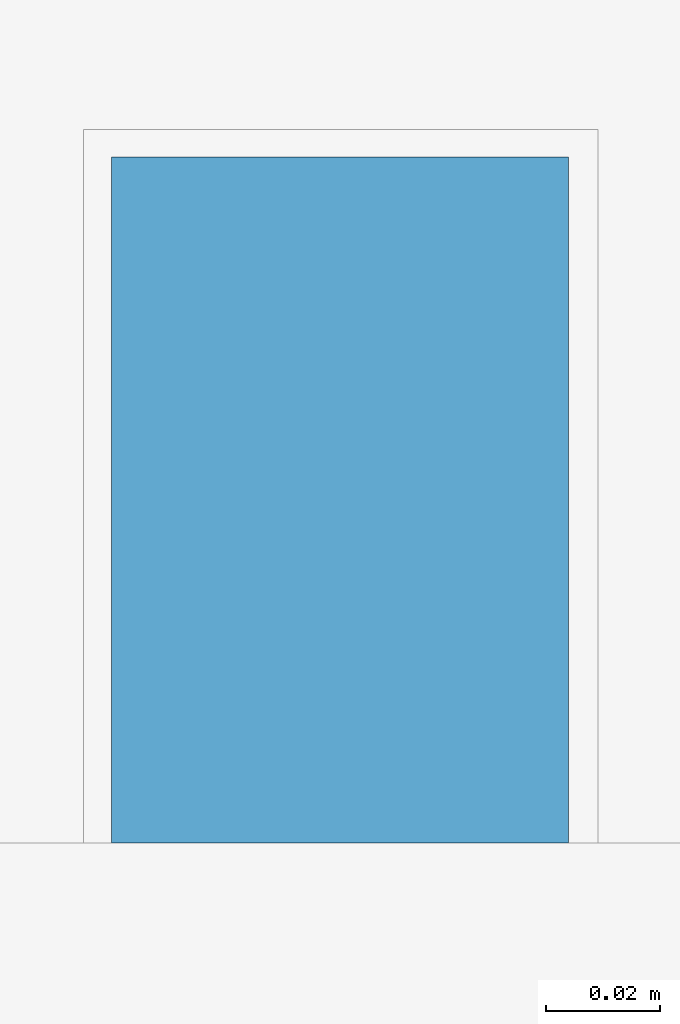
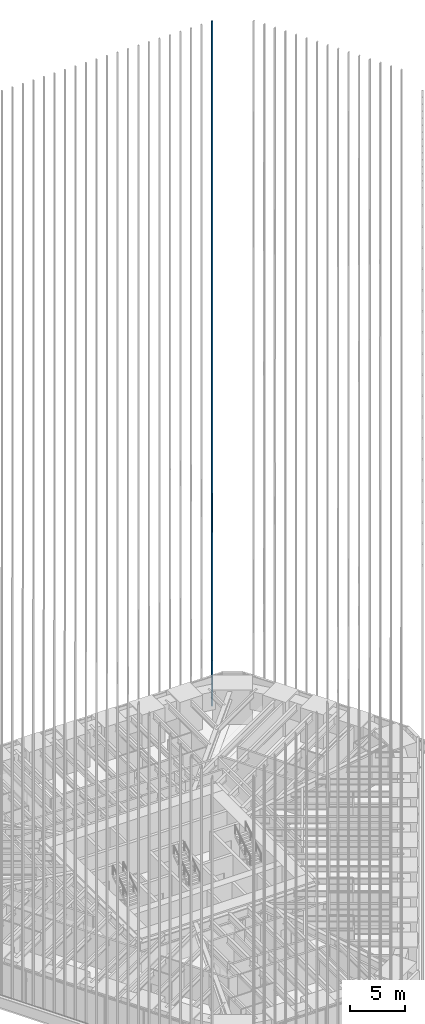
# One storey, part 228 of 238: 1 member, 1 element without a shape of its own.
"""IFC4 building model written with IfcOpenShell, lengths in metres."""

from ifc_helpers import new_model, si_unit, direction, frame, origin, origin_2d, place, context, subcontext, project, spatial, rectangle, extrude, material, material_profile, profile_set, type_object, element, aggregate, save


model = new_model("IFC4")

# Units and contexts
model_context = context("Model", 3, precision=1e-05, world=origin(), true_north=direction((0.0, 1.0)))
body_context = subcontext(model_context, "Body", "Model", "MODEL_VIEW")
ifc_project = project(units=[si_unit("LENGTHUNIT", "METRE"), si_unit("AREAUNIT", "SQUARE_METRE"), si_unit("VOLUMEUNIT", "CUBIC_METRE"), si_unit("PLANEANGLEUNIT", "RADIAN"), si_unit("MASSUNIT", "GRAM", prefix="KILO")], contexts=[model_context])

# Site, building, storey
site_placement = place(None, origin())
site = spatial("IfcSite", under=ifc_project, at=site_placement, CompositionType="ELEMENT")
building_placement = place(site_placement, origin())
building = spatial("IfcBuilding", under=site, at=building_placement, Name="Sandreach Pilgrim Tower", CompositionType="ELEMENT")
storey_placement = place(building_placement, frame((0.0, 0.0, 96.800048828125)))
storey = spatial("IfcBuildingStorey", under=building, at=storey_placement, Name="L23", CompositionType="ELEMENT", Elevation=96.800048828125)

# Curtain wall, member
ifc_material_1 = material(Name="Aluminium framed curtain wall", Category="aluminium")
curtain_wall_type = type_object("IfcCurtainWallType", Name="Hotel tower curtain wall", PredefinedType="NOTDEFINED", material=ifc_material_1)
curtain_wall_placement = place(storey_placement, origin())
curtain_wall = element("IfcCurtainWall", 1, at=curtain_wall_placement, inside=storey, type_object=curtain_wall_type, Name="CW-2 L23 N", PredefinedType="NOTDEFINED")
ifc_material_2 = material(Name="Extruded terracotta on aluminium core", Category="masonry")
ifc_material_profile = material_profile(ifc_material_2, rectangle(XDim=0.080078125, YDim=0.1201171875, at=origin_2d()), Name="TBN 80X120")
ifc_profile_set = profile_set([ifc_material_profile], Name="Extruded terracotta on aluminium core")
member_type = type_object("IfcMemberType", Name="Terracotta baguette north", PredefinedType="USERDEFINED", material=ifc_profile_set)
member_placement = place(storey_placement, frame((17.58984375, 22.853759765625, 0.0), z_axis=(0.0, 0.0, 1.0), x_axis=(1.0, 0.0, 0.0)))
member = element("IfcMember", 2, at=member_placement, type_object=member_type, Name="Baguette Z2 N33", ObjectType="BAGUETTE", PredefinedType="USERDEFINED", context=body_context, shape_type="SweptSolid", body=[
    extrude(rectangle(XDim=0.080078125, YDim=0.1201171875, at=origin_2d()), origin(), (0.0, 0.0, 1.0), 75.83984375),
])
aggregate(curtain_wall, [member])

save(model, "model.ifc")
